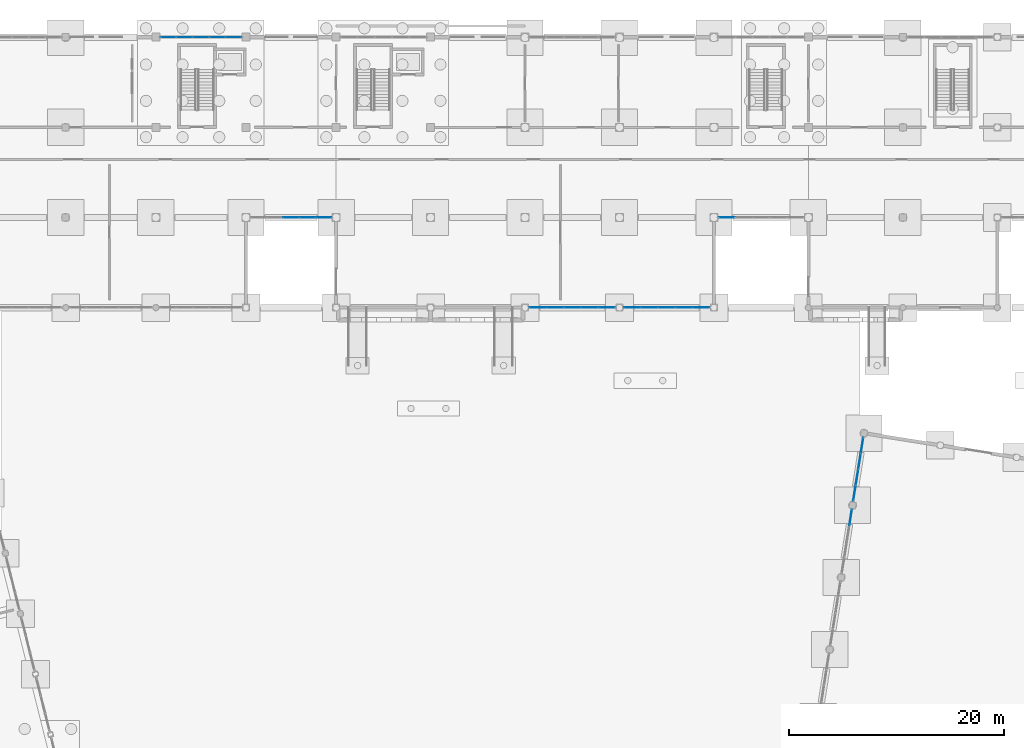
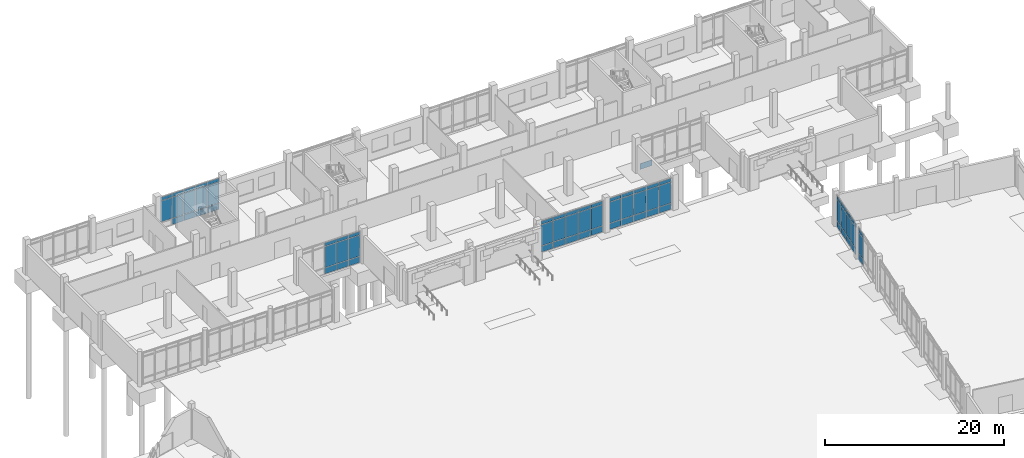
# One storey, part 37 of 72: 69 plates, 7 elements without a shape of their own.
"""IFC4 building model written with IfcOpenShell, lengths in metres."""

from ifc_helpers import new_model, si_unit, direction, frame, origin, origin_2d, place, context, subcontext, project, spatial, rectangle, extrude, material, layer, layer_set, type_object, element, aggregate, save


model = new_model("IFC4")

# Units and contexts
model_context = context("Model", 3, precision=1e-05, world=origin(), true_north=direction((0.0, 1.0)))
body_context = subcontext(model_context, "Body", "Model", "MODEL_VIEW")
ifc_project = project(units=[si_unit("LENGTHUNIT", "METRE"), si_unit("AREAUNIT", "SQUARE_METRE"), si_unit("VOLUMEUNIT", "CUBIC_METRE"), si_unit("PLANEANGLEUNIT", "RADIAN"), si_unit("MASSUNIT", "GRAM", prefix="KILO")], contexts=[model_context])

# Site, building, storey
site_placement = place(None, origin())
site = spatial("IfcSite", under=ifc_project, at=site_placement, CompositionType="ELEMENT")
building_placement = place(site_placement, origin())
building = spatial("IfcBuilding", under=site, at=building_placement, Name="Cinderway Yard Community Centre", CompositionType="ELEMENT")
storey_placement = place(building_placement, origin())
storey = spatial("IfcBuildingStorey", under=building, at=storey_placement, Name="L00", CompositionType="ELEMENT", Elevation=0.0)

# Curtain wall, plates
ifc_material_1 = material(Name="Aluminium 6063-T6", Category="aluminium")
curtain_wall_type_1 = type_object("IfcCurtainWallType", Name="ENV-CW-TYPE-24", PredefinedType="USERDEFINED", material=ifc_material_1)
curtain_wall_1_placement = place(storey_placement, origin())
curtain_wall_1 = element("IfcCurtainWall", 1, at=curtain_wall_1_placement, inside=storey, type_object=curtain_wall_type_1, Name="V4 Courtyard Curtain Wall ENV-CW-L00-ST-0113", ObjectType="GLAZED CURTAIN WALL", PredefinedType="USERDEFINED")
ifc_material_2 = material(Name="Laminated Low-E Glass", Category="glass")
ifc_layer_1 = layer(ifc_material_2, 0.028076171875, Name="Laminated Low-E Glass")
ifc_layer_set_1 = layer_set([ifc_layer_1], Name="Laminated Low-E Glass")
plate_type_1 = type_object("IfcPlateType", Name="ENV-CW-PAN-IGU28", PredefinedType="CURTAIN_PANEL", material=ifc_layer_set_1)
plate_1_placement = place(storey_placement, frame((71.0, 98.39990234375, 0.06005859375), z_axis=(0.0, 0.0, 1.0), x_axis=(1.0, 0.0, 0.0)))
plate_1 = element("IfcPlate", 2, at=plate_1_placement, type_object=plate_type_1, Name="CW-24 panel 3.1", PredefinedType="CURTAIN_PANEL", context=body_context, shape_type="SweptSolid", body=[
    extrude(rectangle(XDim=1.468017578125, YDim=0.028076171875, at=origin_2d()), origin(), (0.0, 0.0, 1.0), 0.81005859375),
])
plate_2_placement = place(storey_placement, frame((71.0, 98.39990234375, 0.93017578125), z_axis=(0.0, 0.0, 1.0), x_axis=(1.0, 0.0, 0.0)))
plate_2 = element("IfcPlate", 3, at=plate_2_placement, type_object=plate_type_1, Name="CW-24 panel 3.2", PredefinedType="CURTAIN_PANEL", context=body_context, shape_type="SweptSolid", body=[
    extrude(rectangle(XDim=1.468017578125, YDim=0.028076171875, at=origin_2d()), origin(), (0.0, 0.0, 1.0), 2.840087890625),
])
plate_3_placement = place(storey_placement, frame((71.0, 98.39990234375, 3.830078125), z_axis=(0.0, 0.0, 1.0), x_axis=(1.0, 0.0, 0.0)))
plate_3 = element("IfcPlate", 4, at=plate_3_placement, type_object=plate_type_1, Name="CW-24 panel 3.3", PredefinedType="CURTAIN_PANEL", context=body_context, shape_type="SweptSolid", body=[
    extrude(rectangle(XDim=1.468017578125, YDim=0.028076171875, at=origin_2d()), origin(), (0.0, 0.0, 1.0), 0.4599609375),
])
plate_4_placement = place(storey_placement, frame((72.528076171875, 98.39990234375, 0.06005859375), z_axis=(0.0, 0.0, 1.0), x_axis=(1.0, 0.0, 0.0)))
plate_4 = element("IfcPlate", 5, at=plate_4_placement, type_object=plate_type_1, Name="CW-24 panel 4.1", PredefinedType="CURTAIN_PANEL", context=body_context, shape_type="SweptSolid", body=[
    extrude(rectangle(XDim=1.468017578125, YDim=0.028076171875, at=origin_2d()), origin(), (0.0, 0.0, 1.0), 0.81005859375),
])
plate_5_placement = place(storey_placement, frame((72.528076171875, 98.39990234375, 0.93017578125), z_axis=(0.0, 0.0, 1.0), x_axis=(1.0, 0.0, 0.0)))
plate_5 = element("IfcPlate", 6, at=plate_5_placement, type_object=plate_type_1, Name="CW-24 panel 4.2", PredefinedType="CURTAIN_PANEL", context=body_context, shape_type="SweptSolid", body=[
    extrude(rectangle(XDim=1.468017578125, YDim=0.028076171875, at=origin_2d()), origin(), (0.0, 0.0, 1.0), 2.840087890625),
])
plate_6_placement = place(storey_placement, frame((72.528076171875, 98.39990234375, 3.830078125), z_axis=(0.0, 0.0, 1.0), x_axis=(1.0, 0.0, 0.0)))
plate_6 = element("IfcPlate", 7, at=plate_6_placement, type_object=plate_type_1, Name="CW-24 panel 4.3", PredefinedType="CURTAIN_PANEL", context=body_context, shape_type="SweptSolid", body=[
    extrude(rectangle(XDim=1.468017578125, YDim=0.028076171875, at=origin_2d()), origin(), (0.0, 0.0, 1.0), 0.4599609375),
])
plate_7_placement = place(storey_placement, frame((74.041015625, 98.39990234375, 0.06005859375), z_axis=(0.0, 0.0, 1.0), x_axis=(1.0, 0.0, 0.0)))
plate_7 = element("IfcPlate", 8, at=plate_7_placement, type_object=plate_type_1, Name="CW-24 panel 5.1", PredefinedType="CURTAIN_PANEL", context=body_context, shape_type="SweptSolid", body=[
    extrude(rectangle(XDim=1.43798828125, YDim=0.028076171875, at=origin_2d()), origin(), (0.0, 0.0, 1.0), 0.81005859375),
])
plate_8_placement = place(storey_placement, frame((74.041015625, 98.39990234375, 0.93017578125), z_axis=(0.0, 0.0, 1.0), x_axis=(1.0, 0.0, 0.0)))
plate_8 = element("IfcPlate", 9, at=plate_8_placement, type_object=plate_type_1, Name="CW-24 panel 5.2", PredefinedType="CURTAIN_PANEL", context=body_context, shape_type="SweptSolid", body=[
    extrude(rectangle(XDim=1.43798828125, YDim=0.028076171875, at=origin_2d()), origin(), (0.0, 0.0, 1.0), 2.840087890625),
])
plate_9_placement = place(storey_placement, frame((74.041015625, 98.39990234375, 3.830078125), z_axis=(0.0, 0.0, 1.0), x_axis=(1.0, 0.0, 0.0)))
plate_9 = element("IfcPlate", 10, at=plate_9_placement, type_object=plate_type_1, Name="CW-24 panel 5.3", PredefinedType="CURTAIN_PANEL", context=body_context, shape_type="SweptSolid", body=[
    extrude(rectangle(XDim=1.43798828125, YDim=0.028076171875, at=origin_2d()), origin(), (0.0, 0.0, 1.0), 0.4599609375),
])
aggregate(curtain_wall_1, [plate_1, plate_2, plate_3, plate_4, plate_5, plate_6, plate_7, plate_8, plate_9])

curtain_wall_type_2 = type_object("IfcCurtainWallType", Name="ENV-CW-TYPE-25", PredefinedType="USERDEFINED", material=ifc_material_1)
curtain_wall_2_placement = place(storey_placement, origin())
curtain_wall_2 = element("IfcCurtainWall", 11, at=curtain_wall_2_placement, inside=storey, type_object=curtain_wall_type_2, Name="V4 Courtyard Curtain Wall ENV-CW-L00-ST-0116", ObjectType="GLAZED CURTAIN WALL", PredefinedType="USERDEFINED")
plate_10_placement = place(storey_placement, frame((93.9990234375, 90.0, 0.06005859375), z_axis=(0.0, 0.0, 1.0), x_axis=(1.0, 0.0, 0.0)))
plate_10 = element("IfcPlate", 12, at=plate_10_placement, type_object=plate_type_1, Name="CW-25 panel 1.1", PredefinedType="CURTAIN_PANEL", context=body_context, shape_type="SweptSolid", body=[
    extrude(rectangle(XDim=1.51806640625, YDim=0.028076171875, at=origin_2d()), origin(), (0.0, 0.0, 1.0), 0.81005859375),
])
plate_11_placement = place(storey_placement, frame((93.9990234375, 90.0, 0.93017578125), z_axis=(0.0, 0.0, 1.0), x_axis=(1.0, 0.0, 0.0)))
plate_11 = element("IfcPlate", 13, at=plate_11_placement, type_object=plate_type_1, Name="CW-25 panel 1.2", PredefinedType="CURTAIN_PANEL", context=body_context, shape_type="SweptSolid", body=[
    extrude(rectangle(XDim=1.51806640625, YDim=0.028076171875, at=origin_2d()), origin(), (0.0, 0.0, 1.0), 2.840087890625),
])
plate_12_placement = place(storey_placement, frame((93.9990234375, 90.0, 3.830078125), z_axis=(0.0, 0.0, 1.0), x_axis=(1.0, 0.0, 0.0)))
plate_12 = element("IfcPlate", 14, at=plate_12_placement, type_object=plate_type_1, Name="CW-25 panel 1.3", PredefinedType="CURTAIN_PANEL", context=body_context, shape_type="SweptSolid", body=[
    extrude(rectangle(XDim=1.51806640625, YDim=0.028076171875, at=origin_2d()), origin(), (0.0, 0.0, 1.0), 0.4599609375),
])
plate_13_placement = place(storey_placement, frame((95.592041015625, 90.0, 0.06005859375), z_axis=(0.0, 0.0, 1.0), x_axis=(1.0, 0.0, 0.0)))
plate_13 = element("IfcPlate", 15, at=plate_13_placement, type_object=plate_type_1, Name="CW-25 panel 2.1", PredefinedType="CURTAIN_PANEL", context=body_context, shape_type="SweptSolid", body=[
    extrude(rectangle(XDim=1.548095703125, YDim=0.028076171875, at=origin_2d()), origin(), (0.0, 0.0, 1.0), 0.81005859375),
])
plate_14_placement = place(storey_placement, frame((95.592041015625, 90.0, 0.93017578125), z_axis=(0.0, 0.0, 1.0), x_axis=(1.0, 0.0, 0.0)))
plate_14 = element("IfcPlate", 16, at=plate_14_placement, type_object=plate_type_1, Name="CW-25 panel 2.2", PredefinedType="CURTAIN_PANEL", context=body_context, shape_type="SweptSolid", body=[
    extrude(rectangle(XDim=1.548095703125, YDim=0.028076171875, at=origin_2d()), origin(), (0.0, 0.0, 1.0), 2.840087890625),
])
plate_15_placement = place(storey_placement, frame((95.592041015625, 90.0, 3.830078125), z_axis=(0.0, 0.0, 1.0), x_axis=(1.0, 0.0, 0.0)))
plate_15 = element("IfcPlate", 17, at=plate_15_placement, type_object=plate_type_1, Name="CW-25 panel 2.3", PredefinedType="CURTAIN_PANEL", context=body_context, shape_type="SweptSolid", body=[
    extrude(rectangle(XDim=1.548095703125, YDim=0.028076171875, at=origin_2d()), origin(), (0.0, 0.0, 1.0), 0.4599609375),
])
plate_16_placement = place(storey_placement, frame((97.199951171875, 90.0, 0.06005859375), z_axis=(0.0, 0.0, 1.0), x_axis=(1.0, 0.0, 0.0)))
plate_16 = element("IfcPlate", 18, at=plate_16_placement, type_object=plate_type_1, Name="CW-25 panel 3.1", PredefinedType="CURTAIN_PANEL", context=body_context, shape_type="SweptSolid", body=[
    extrude(rectangle(XDim=1.548095703125, YDim=0.028076171875, at=origin_2d()), origin(), (0.0, 0.0, 1.0), 0.81005859375),
])
plate_17_placement = place(storey_placement, frame((97.199951171875, 90.0, 0.93017578125), z_axis=(0.0, 0.0, 1.0), x_axis=(1.0, 0.0, 0.0)))
plate_17 = element("IfcPlate", 19, at=plate_17_placement, type_object=plate_type_1, Name="CW-25 panel 3.2", PredefinedType="CURTAIN_PANEL", context=body_context, shape_type="SweptSolid", body=[
    extrude(rectangle(XDim=1.548095703125, YDim=0.028076171875, at=origin_2d()), origin(), (0.0, 0.0, 1.0), 2.840087890625),
])
plate_18_placement = place(storey_placement, frame((97.199951171875, 90.0, 3.830078125), z_axis=(0.0, 0.0, 1.0), x_axis=(1.0, 0.0, 0.0)))
plate_18 = element("IfcPlate", 20, at=plate_18_placement, type_object=plate_type_1, Name="CW-25 panel 3.3", PredefinedType="CURTAIN_PANEL", context=body_context, shape_type="SweptSolid", body=[
    extrude(rectangle(XDim=1.548095703125, YDim=0.028076171875, at=origin_2d()), origin(), (0.0, 0.0, 1.0), 0.4599609375),
])
plate_19_placement = place(storey_placement, frame((98.80810546875, 90.0, 0.06005859375), z_axis=(0.0, 0.0, 1.0), x_axis=(1.0, 0.0, 0.0)))
plate_19 = element("IfcPlate", 21, at=plate_19_placement, type_object=plate_type_1, Name="CW-25 panel 4.1", PredefinedType="CURTAIN_PANEL", context=body_context, shape_type="SweptSolid", body=[
    extrude(rectangle(XDim=1.548095703125, YDim=0.028076171875, at=origin_2d()), origin(), (0.0, 0.0, 1.0), 0.81005859375),
])
plate_20_placement = place(storey_placement, frame((98.80810546875, 90.0, 0.93017578125), z_axis=(0.0, 0.0, 1.0), x_axis=(1.0, 0.0, 0.0)))
plate_20 = element("IfcPlate", 22, at=plate_20_placement, type_object=plate_type_1, Name="CW-25 panel 4.2", PredefinedType="CURTAIN_PANEL", context=body_context, shape_type="SweptSolid", body=[
    extrude(rectangle(XDim=1.548095703125, YDim=0.028076171875, at=origin_2d()), origin(), (0.0, 0.0, 1.0), 2.840087890625),
])
plate_21_placement = place(storey_placement, frame((98.80810546875, 90.0, 3.830078125), z_axis=(0.0, 0.0, 1.0), x_axis=(1.0, 0.0, 0.0)))
plate_21 = element("IfcPlate", 23, at=plate_21_placement, type_object=plate_type_1, Name="CW-25 panel 4.3", PredefinedType="CURTAIN_PANEL", context=body_context, shape_type="SweptSolid", body=[
    extrude(rectangle(XDim=1.548095703125, YDim=0.028076171875, at=origin_2d()), origin(), (0.0, 0.0, 1.0), 0.4599609375),
])
plate_22_placement = place(storey_placement, frame((100.40087890625, 90.0, 0.06005859375), z_axis=(0.0, 0.0, 1.0), x_axis=(1.0, 0.0, 0.0)))
plate_22 = element("IfcPlate", 24, at=plate_22_placement, type_object=plate_type_1, Name="CW-25 panel 5.1", PredefinedType="CURTAIN_PANEL", context=body_context, shape_type="SweptSolid", body=[
    extrude(rectangle(XDim=1.51806640625, YDim=0.028076171875, at=origin_2d()), origin(), (0.0, 0.0, 1.0), 0.81005859375),
])
plate_23_placement = place(storey_placement, frame((100.40087890625, 90.0, 0.93017578125), z_axis=(0.0, 0.0, 1.0), x_axis=(1.0, 0.0, 0.0)))
plate_23 = element("IfcPlate", 25, at=plate_23_placement, type_object=plate_type_1, Name="CW-25 panel 5.2", PredefinedType="CURTAIN_PANEL", context=body_context, shape_type="SweptSolid", body=[
    extrude(rectangle(XDim=1.51806640625, YDim=0.028076171875, at=origin_2d()), origin(), (0.0, 0.0, 1.0), 2.840087890625),
])
plate_24_placement = place(storey_placement, frame((100.40087890625, 90.0, 3.830078125), z_axis=(0.0, 0.0, 1.0), x_axis=(1.0, 0.0, 0.0)))
plate_24 = element("IfcPlate", 26, at=plate_24_placement, type_object=plate_type_1, Name="CW-25 panel 5.3", PredefinedType="CURTAIN_PANEL", context=body_context, shape_type="SweptSolid", body=[
    extrude(rectangle(XDim=1.51806640625, YDim=0.028076171875, at=origin_2d()), origin(), (0.0, 0.0, 1.0), 0.4599609375),
])
aggregate(curtain_wall_2, [plate_10, plate_11, plate_12, plate_13, plate_14, plate_15, plate_16, plate_17, plate_18, plate_19, plate_20, plate_21, plate_22, plate_23, plate_24])

curtain_wall_3_placement = place(storey_placement, origin())
curtain_wall_3 = element("IfcCurtainWall", 27, at=curtain_wall_3_placement, inside=storey, type_object=curtain_wall_type_2, Name="V4 Courtyard Curtain Wall ENV-CW-L00-ST-0117", ObjectType="GLAZED CURTAIN WALL", PredefinedType="USERDEFINED")
plate_25_placement = place(storey_placement, frame((102.799072265625, 90.0, 0.06005859375), z_axis=(0.0, 0.0, 1.0), x_axis=(1.0, 0.0, 0.0)))
plate_25 = element("IfcPlate", 28, at=plate_25_placement, type_object=plate_type_1, Name="CW-25 panel 1.1", PredefinedType="CURTAIN_PANEL", context=body_context, shape_type="SweptSolid", body=[
    extrude(rectangle(XDim=1.51806640625, YDim=0.028076171875, at=origin_2d()), origin(), (0.0, 0.0, 1.0), 0.81005859375),
])
plate_26_placement = place(storey_placement, frame((102.799072265625, 90.0, 0.93017578125), z_axis=(0.0, 0.0, 1.0), x_axis=(1.0, 0.0, 0.0)))
plate_26 = element("IfcPlate", 29, at=plate_26_placement, type_object=plate_type_1, Name="CW-25 panel 1.2", PredefinedType="CURTAIN_PANEL", context=body_context, shape_type="SweptSolid", body=[
    extrude(rectangle(XDim=1.51806640625, YDim=0.028076171875, at=origin_2d()), origin(), (0.0, 0.0, 1.0), 2.840087890625),
])
plate_27_placement = place(storey_placement, frame((102.799072265625, 90.0, 3.830078125), z_axis=(0.0, 0.0, 1.0), x_axis=(1.0, 0.0, 0.0)))
plate_27 = element("IfcPlate", 30, at=plate_27_placement, type_object=plate_type_1, Name="CW-25 panel 1.3", PredefinedType="CURTAIN_PANEL", context=body_context, shape_type="SweptSolid", body=[
    extrude(rectangle(XDim=1.51806640625, YDim=0.028076171875, at=origin_2d()), origin(), (0.0, 0.0, 1.0), 0.4599609375),
])
plate_28_placement = place(storey_placement, frame((104.39208984375, 90.0, 0.06005859375), z_axis=(0.0, 0.0, 1.0), x_axis=(1.0, 0.0, 0.0)))
plate_28 = element("IfcPlate", 31, at=plate_28_placement, type_object=plate_type_1, Name="CW-25 panel 2.1", PredefinedType="CURTAIN_PANEL", context=body_context, shape_type="SweptSolid", body=[
    extrude(rectangle(XDim=1.548095703125, YDim=0.028076171875, at=origin_2d()), origin(), (0.0, 0.0, 1.0), 0.81005859375),
])
plate_29_placement = place(storey_placement, frame((104.39208984375, 90.0, 0.93017578125), z_axis=(0.0, 0.0, 1.0), x_axis=(1.0, 0.0, 0.0)))
plate_29 = element("IfcPlate", 32, at=plate_29_placement, type_object=plate_type_1, Name="CW-25 panel 2.2", PredefinedType="CURTAIN_PANEL", context=body_context, shape_type="SweptSolid", body=[
    extrude(rectangle(XDim=1.548095703125, YDim=0.028076171875, at=origin_2d()), origin(), (0.0, 0.0, 1.0), 2.840087890625),
])
plate_30_placement = place(storey_placement, frame((104.39208984375, 90.0, 3.830078125), z_axis=(0.0, 0.0, 1.0), x_axis=(1.0, 0.0, 0.0)))
plate_30 = element("IfcPlate", 33, at=plate_30_placement, type_object=plate_type_1, Name="CW-25 panel 2.3", PredefinedType="CURTAIN_PANEL", context=body_context, shape_type="SweptSolid", body=[
    extrude(rectangle(XDim=1.548095703125, YDim=0.028076171875, at=origin_2d()), origin(), (0.0, 0.0, 1.0), 0.4599609375),
])
plate_31_placement = place(storey_placement, frame((106.0, 90.0, 0.06005859375), z_axis=(0.0, 0.0, 1.0), x_axis=(1.0, 0.0, 0.0)))
plate_31 = element("IfcPlate", 34, at=plate_31_placement, type_object=plate_type_1, Name="CW-25 panel 3.1", PredefinedType="CURTAIN_PANEL", context=body_context, shape_type="SweptSolid", body=[
    extrude(rectangle(XDim=1.548095703125, YDim=0.028076171875, at=origin_2d()), origin(), (0.0, 0.0, 1.0), 0.81005859375),
])
plate_32_placement = place(storey_placement, frame((106.0, 90.0, 0.93017578125), z_axis=(0.0, 0.0, 1.0), x_axis=(1.0, 0.0, 0.0)))
plate_32 = element("IfcPlate", 35, at=plate_32_placement, type_object=plate_type_1, Name="CW-25 panel 3.2", PredefinedType="CURTAIN_PANEL", context=body_context, shape_type="SweptSolid", body=[
    extrude(rectangle(XDim=1.548095703125, YDim=0.028076171875, at=origin_2d()), origin(), (0.0, 0.0, 1.0), 2.840087890625),
])
plate_33_placement = place(storey_placement, frame((106.0, 90.0, 3.830078125), z_axis=(0.0, 0.0, 1.0), x_axis=(1.0, 0.0, 0.0)))
plate_33 = element("IfcPlate", 36, at=plate_33_placement, type_object=plate_type_1, Name="CW-25 panel 3.3", PredefinedType="CURTAIN_PANEL", context=body_context, shape_type="SweptSolid", body=[
    extrude(rectangle(XDim=1.548095703125, YDim=0.028076171875, at=origin_2d()), origin(), (0.0, 0.0, 1.0), 0.4599609375),
])
plate_34_placement = place(storey_placement, frame((107.60791015625, 90.0, 0.06005859375), z_axis=(0.0, 0.0, 1.0), x_axis=(1.0, 0.0, 0.0)))
plate_34 = element("IfcPlate", 37, at=plate_34_placement, type_object=plate_type_1, Name="CW-25 panel 4.1", PredefinedType="CURTAIN_PANEL", context=body_context, shape_type="SweptSolid", body=[
    extrude(rectangle(XDim=1.548095703125, YDim=0.028076171875, at=origin_2d()), origin(), (0.0, 0.0, 1.0), 0.81005859375),
])
plate_35_placement = place(storey_placement, frame((107.60791015625, 90.0, 0.93017578125), z_axis=(0.0, 0.0, 1.0), x_axis=(1.0, 0.0, 0.0)))
plate_35 = element("IfcPlate", 38, at=plate_35_placement, type_object=plate_type_1, Name="CW-25 panel 4.2", PredefinedType="CURTAIN_PANEL", context=body_context, shape_type="SweptSolid", body=[
    extrude(rectangle(XDim=1.548095703125, YDim=0.028076171875, at=origin_2d()), origin(), (0.0, 0.0, 1.0), 2.840087890625),
])
plate_36_placement = place(storey_placement, frame((107.60791015625, 90.0, 3.830078125), z_axis=(0.0, 0.0, 1.0), x_axis=(1.0, 0.0, 0.0)))
plate_36 = element("IfcPlate", 39, at=plate_36_placement, type_object=plate_type_1, Name="CW-25 panel 4.3", PredefinedType="CURTAIN_PANEL", context=body_context, shape_type="SweptSolid", body=[
    extrude(rectangle(XDim=1.548095703125, YDim=0.028076171875, at=origin_2d()), origin(), (0.0, 0.0, 1.0), 0.4599609375),
])
plate_37_placement = place(storey_placement, frame((109.200927734375, 90.0, 0.06005859375), z_axis=(0.0, 0.0, 1.0), x_axis=(1.0, 0.0, 0.0)))
plate_37 = element("IfcPlate", 40, at=plate_37_placement, type_object=plate_type_1, Name="CW-25 panel 5.1", PredefinedType="CURTAIN_PANEL", context=body_context, shape_type="SweptSolid", body=[
    extrude(rectangle(XDim=1.51806640625, YDim=0.028076171875, at=origin_2d()), origin(), (0.0, 0.0, 1.0), 0.81005859375),
])
plate_38_placement = place(storey_placement, frame((109.200927734375, 90.0, 0.93017578125), z_axis=(0.0, 0.0, 1.0), x_axis=(1.0, 0.0, 0.0)))
plate_38 = element("IfcPlate", 41, at=plate_38_placement, type_object=plate_type_1, Name="CW-25 panel 5.2", PredefinedType="CURTAIN_PANEL", context=body_context, shape_type="SweptSolid", body=[
    extrude(rectangle(XDim=1.51806640625, YDim=0.028076171875, at=origin_2d()), origin(), (0.0, 0.0, 1.0), 2.840087890625),
])
plate_39_placement = place(storey_placement, frame((109.200927734375, 90.0, 3.830078125), z_axis=(0.0, 0.0, 1.0), x_axis=(1.0, 0.0, 0.0)))
plate_39 = element("IfcPlate", 42, at=plate_39_placement, type_object=plate_type_1, Name="CW-25 panel 5.3", PredefinedType="CURTAIN_PANEL", context=body_context, shape_type="SweptSolid", body=[
    extrude(rectangle(XDim=1.51806640625, YDim=0.028076171875, at=origin_2d()), origin(), (0.0, 0.0, 1.0), 0.4599609375),
])
aggregate(curtain_wall_3, [plate_25, plate_26, plate_27, plate_28, plate_29, plate_30, plate_31, plate_32, plate_33, plate_34, plate_35, plate_36, plate_37, plate_38, plate_39])

# Curtain wall, plate
curtain_wall_4_placement = place(storey_placement, origin())
curtain_wall_4 = element("IfcCurtainWall", 43, at=curtain_wall_4_placement, inside=storey, type_object=curtain_wall_type_2, Name="V4 Courtyard Curtain Wall ENV-CW-L00-ST-0119", ObjectType="GLAZED CURTAIN WALL", PredefinedType="USERDEFINED")
plate_40_placement = place(storey_placement, frame((111.59912109375, 98.39990234375, 0.06005859375), z_axis=(0.0, 0.0, 1.0), x_axis=(1.0, 0.0, 0.0)))
plate_40 = element("IfcPlate", 44, at=plate_40_placement, type_object=plate_type_1, Name="CW-25 panel 1.1", PredefinedType="CURTAIN_PANEL", context=body_context, shape_type="SweptSolid", body=[
    extrude(rectangle(XDim=1.51806640625, YDim=0.028076171875, at=origin_2d()), origin(), (0.0, 0.0, 1.0), 0.81005859375),
])
aggregate(curtain_wall_4, [plate_40])

# Curtain wall, plates
curtain_wall_type_3 = type_object("IfcCurtainWallType", Name="ENV-CW-TYPE-12", PredefinedType="USERDEFINED", material=ifc_material_1)
curtain_wall_5_placement = place(storey_placement, origin())
curtain_wall_5 = element("IfcCurtainWall", 45, at=curtain_wall_5_placement, inside=storey, type_object=curtain_wall_type_3, Name="Sports Hall Courtyard Curtain Wall ENV-CW-L00-HS-0048", ObjectType="GLAZED CURTAIN WALL", PredefinedType="USERDEFINED")
ifc_layer_2 = layer(ifc_material_2, 0.031982421875, Name="Laminated Low-E Glass")
ifc_layer_set_2 = layer_set([ifc_layer_2], Name="Laminated Low-E Glass")
plate_type_2 = type_object("IfcPlateType", Name="ENV-CW-PAN-IGU32", PredefinedType="CURTAIN_PANEL", material=ifc_layer_set_2)
plate_41_placement = place(storey_placement, frame((123.139404296875, 70.445556640625, 0.06005859375), z_axis=(0.0, 0.0, 1.0), x_axis=(0.156608625643, 0.987660740525, 0.0)))
plate_41 = element("IfcPlate", 46, at=plate_41_placement, type_object=plate_type_2, Name="CW-12 panel 4.1", PredefinedType="CURTAIN_PANEL", context=body_context, shape_type="SweptSolid", body=[
    extrude(rectangle(XDim=1.420166015625, YDim=0.028076171875, at=origin_2d()), origin(), (0.0, 0.0, 1.0), 0.81005859375),
])
plate_42_placement = place(storey_placement, frame((123.139404296875, 70.445556640625, 0.93017578125), z_axis=(0.0, 0.0, 1.0), x_axis=(0.156608625643, 0.987660740525, 0.0)))
plate_42 = element("IfcPlate", 47, at=plate_42_placement, type_object=plate_type_2, Name="CW-12 panel 4.2", PredefinedType="CURTAIN_PANEL", context=body_context, shape_type="SweptSolid", body=[
    extrude(rectangle(XDim=1.420166015625, YDim=0.028076171875, at=origin_2d()), origin(), (0.0, 0.0, 1.0), 2.840087890625),
])
plate_43_placement = place(storey_placement, frame((123.139404296875, 70.445556640625, 3.830078125), z_axis=(0.0, 0.0, 1.0), x_axis=(0.156608625643, 0.987660740525, 0.0)))
plate_43 = element("IfcPlate", 48, at=plate_43_placement, type_object=plate_type_2, Name="CW-12 panel 4.3", PredefinedType="CURTAIN_PANEL", context=body_context, shape_type="SweptSolid", body=[
    extrude(rectangle(XDim=1.420166015625, YDim=0.028076171875, at=origin_2d()), origin(), (0.0, 0.0, 1.0), 0.4599609375),
])
aggregate(curtain_wall_5, [plate_41, plate_42, plate_43])

curtain_wall_6_placement = place(storey_placement, origin())
curtain_wall_6 = element("IfcCurtainWall", 49, at=curtain_wall_6_placement, inside=storey, type_object=curtain_wall_type_3, Name="Sports Hall Courtyard Curtain Wall ENV-CW-L00-HS-0049", ObjectType="GLAZED CURTAIN WALL", PredefinedType="USERDEFINED")
plate_44_placement = place(storey_placement, frame((123.49853515625, 72.716796875, 0.06005859375), z_axis=(0.0, 0.0, 1.0), x_axis=(0.156583023401, 0.987664799809, 0.0)))
plate_44 = element("IfcPlate", 50, at=plate_44_placement, type_object=plate_type_2, Name="CW-12 panel 1.1", PredefinedType="CURTAIN_PANEL", context=body_context, shape_type="SweptSolid", body=[
    extrude(rectangle(XDim=1.42041015625, YDim=0.028076171875, at=origin_2d()), origin(), (0.0, 0.0, 1.0), 0.81005859375),
])
plate_45_placement = place(storey_placement, frame((123.49853515625, 72.716796875, 0.93017578125), z_axis=(0.0, 0.0, 1.0), x_axis=(0.156583023401, 0.987664799809, 0.0)))
plate_45 = element("IfcPlate", 51, at=plate_45_placement, type_object=plate_type_2, Name="CW-12 panel 1.2", PredefinedType="CURTAIN_PANEL", context=body_context, shape_type="SweptSolid", body=[
    extrude(rectangle(XDim=1.42041015625, YDim=0.028076171875, at=origin_2d()), origin(), (0.0, 0.0, 1.0), 2.840087890625),
])
plate_46_placement = place(storey_placement, frame((123.49853515625, 72.716796875, 3.830078125), z_axis=(0.0, 0.0, 1.0), x_axis=(0.156583023401, 0.987664799809, 0.0)))
plate_46 = element("IfcPlate", 52, at=plate_46_placement, type_object=plate_type_2, Name="CW-12 panel 1.3", PredefinedType="CURTAIN_PANEL", context=body_context, shape_type="SweptSolid", body=[
    extrude(rectangle(XDim=1.42041015625, YDim=0.028076171875, at=origin_2d()), origin(), (0.0, 0.0, 1.0), 0.4599609375),
])
plate_47_placement = place(storey_placement, frame((123.732666015625, 74.193603515625, 0.06005859375), z_axis=(0.0, 0.0, 1.0), x_axis=(0.156583023401, 0.987664799809, 0.0)))
plate_47 = element("IfcPlate", 53, at=plate_47_placement, type_object=plate_type_2, Name="CW-12 panel 2.1", PredefinedType="CURTAIN_PANEL", context=body_context, shape_type="SweptSolid", body=[
    extrude(rectangle(XDim=1.450439453125, YDim=0.028076171875, at=origin_2d()), origin(), (0.0, 0.0, 1.0), 0.81005859375),
])
plate_48_placement = place(storey_placement, frame((123.732666015625, 74.193603515625, 0.93017578125), z_axis=(0.0, 0.0, 1.0), x_axis=(0.156583023401, 0.987664799809, 0.0)))
plate_48 = element("IfcPlate", 54, at=plate_48_placement, type_object=plate_type_2, Name="CW-12 panel 2.2", PredefinedType="CURTAIN_PANEL", context=body_context, shape_type="SweptSolid", body=[
    extrude(rectangle(XDim=1.450439453125, YDim=0.028076171875, at=origin_2d()), origin(), (0.0, 0.0, 1.0), 2.840087890625),
])
plate_49_placement = place(storey_placement, frame((123.732666015625, 74.193603515625, 3.830078125), z_axis=(0.0, 0.0, 1.0), x_axis=(0.156583023401, 0.987664799809, 0.0)))
plate_49 = element("IfcPlate", 55, at=plate_49_placement, type_object=plate_type_2, Name="CW-12 panel 2.3", PredefinedType="CURTAIN_PANEL", context=body_context, shape_type="SweptSolid", body=[
    extrude(rectangle(XDim=1.450439453125, YDim=0.028076171875, at=origin_2d()), origin(), (0.0, 0.0, 1.0), 0.4599609375),
])
plate_50_placement = place(storey_placement, frame((123.96923828125, 75.685302734375, 0.06005859375), z_axis=(0.0, 0.0, 1.0), x_axis=(0.156583023401, 0.987664799809, 0.0)))
plate_50 = element("IfcPlate", 56, at=plate_50_placement, type_object=plate_type_2, Name="CW-12 panel 3.1", PredefinedType="CURTAIN_PANEL", context=body_context, shape_type="SweptSolid", body=[
    extrude(rectangle(XDim=1.450439453125, YDim=0.028076171875, at=origin_2d()), origin(), (0.0, 0.0, 1.0), 0.81005859375),
])
plate_51_placement = place(storey_placement, frame((123.96923828125, 75.685302734375, 0.93017578125), z_axis=(0.0, 0.0, 1.0), x_axis=(0.156583023401, 0.987664799809, 0.0)))
plate_51 = element("IfcPlate", 57, at=plate_51_placement, type_object=plate_type_2, Name="CW-12 panel 3.2", PredefinedType="CURTAIN_PANEL", context=body_context, shape_type="SweptSolid", body=[
    extrude(rectangle(XDim=1.450439453125, YDim=0.028076171875, at=origin_2d()), origin(), (0.0, 0.0, 1.0), 2.840087890625),
])
plate_52_placement = place(storey_placement, frame((123.96923828125, 75.685302734375, 3.830078125), z_axis=(0.0, 0.0, 1.0), x_axis=(0.156583023401, 0.987664799809, 0.0)))
plate_52 = element("IfcPlate", 58, at=plate_52_placement, type_object=plate_type_2, Name="CW-12 panel 3.3", PredefinedType="CURTAIN_PANEL", context=body_context, shape_type="SweptSolid", body=[
    extrude(rectangle(XDim=1.450439453125, YDim=0.028076171875, at=origin_2d()), origin(), (0.0, 0.0, 1.0), 0.4599609375),
])
plate_53_placement = place(storey_placement, frame((124.203369140625, 77.162353515625, 0.06005859375), z_axis=(0.0, 0.0, 1.0), x_axis=(0.156583023401, 0.987664799809, 0.0)))
plate_53 = element("IfcPlate", 59, at=plate_53_placement, type_object=plate_type_2, Name="CW-12 panel 4.1", PredefinedType="CURTAIN_PANEL", context=body_context, shape_type="SweptSolid", body=[
    extrude(rectangle(XDim=1.42041015625, YDim=0.028076171875, at=origin_2d()), origin(), (0.0, 0.0, 1.0), 0.81005859375),
])
plate_54_placement = place(storey_placement, frame((124.203369140625, 77.162353515625, 0.93017578125), z_axis=(0.0, 0.0, 1.0), x_axis=(0.156583023401, 0.987664799809, 0.0)))
plate_54 = element("IfcPlate", 60, at=plate_54_placement, type_object=plate_type_2, Name="CW-12 panel 4.2", PredefinedType="CURTAIN_PANEL", context=body_context, shape_type="SweptSolid", body=[
    extrude(rectangle(XDim=1.42041015625, YDim=0.028076171875, at=origin_2d()), origin(), (0.0, 0.0, 1.0), 2.840087890625),
])
plate_55_placement = place(storey_placement, frame((124.203369140625, 77.162353515625, 3.830078125), z_axis=(0.0, 0.0, 1.0), x_axis=(0.156583023401, 0.987664799809, 0.0)))
plate_55 = element("IfcPlate", 61, at=plate_55_placement, type_object=plate_type_2, Name="CW-12 panel 4.3", PredefinedType="CURTAIN_PANEL", context=body_context, shape_type="SweptSolid", body=[
    extrude(rectangle(XDim=1.42041015625, YDim=0.028076171875, at=origin_2d()), origin(), (0.0, 0.0, 1.0), 0.4599609375),
])
aggregate(curtain_wall_6, [plate_44, plate_45, plate_46, plate_47, plate_48, plate_49, plate_50, plate_51, plate_52, plate_53, plate_54, plate_55])

curtain_wall_7_placement = place(storey_placement, origin())
curtain_wall_7 = element("IfcCurtainWall", 62, at=curtain_wall_7_placement, inside=storey, type_object=curtain_wall_type_1, Name="V4 Street Curtain Wall ENV-CW-L00-HS-0111", ObjectType="GLAZED CURTAIN WALL", PredefinedType="USERDEFINED")
plate_56_placement = place(storey_placement, frame((59.55908203125, 115.199951171875, 0.93017578125), z_axis=(0.0, 0.0, 1.0), x_axis=(1.0, 0.0, 0.0)))
plate_56 = element("IfcPlate", 63, at=plate_56_placement, type_object=plate_type_2, Name="CW-24 panel 1.2", PredefinedType="CURTAIN_PANEL", context=body_context, shape_type="SweptSolid", body=[
    extrude(rectangle(XDim=1.43798828125, YDim=0.028076171875, at=origin_2d()), origin(), (0.0, 0.0, 1.0), 2.840087890625),
])
plate_57_placement = place(storey_placement, frame((59.55908203125, 115.199951171875, 3.830078125), z_axis=(0.0, 0.0, 1.0), x_axis=(1.0, 0.0, 0.0)))
plate_57 = element("IfcPlate", 64, at=plate_57_placement, type_object=plate_type_2, Name="CW-24 panel 1.3", PredefinedType="CURTAIN_PANEL", context=body_context, shape_type="SweptSolid", body=[
    extrude(rectangle(XDim=1.43798828125, YDim=0.028076171875, at=origin_2d()), origin(), (0.0, 0.0, 1.0), 0.4599609375),
])
plate_58_placement = place(storey_placement, frame((61.072021484375, 115.199951171875, 0.06005859375), z_axis=(0.0, 0.0, 1.0), x_axis=(1.0, 0.0, 0.0)))
plate_58 = element("IfcPlate", 65, at=plate_58_placement, type_object=plate_type_2, Name="CW-24 panel 2.1", PredefinedType="CURTAIN_PANEL", context=body_context, shape_type="SweptSolid", body=[
    extrude(rectangle(XDim=1.468017578125, YDim=0.028076171875, at=origin_2d()), origin(), (0.0, 0.0, 1.0), 0.81005859375),
])
plate_59_placement = place(storey_placement, frame((61.072021484375, 115.199951171875, 0.93017578125), z_axis=(0.0, 0.0, 1.0), x_axis=(1.0, 0.0, 0.0)))
plate_59 = element("IfcPlate", 66, at=plate_59_placement, type_object=plate_type_2, Name="CW-24 panel 2.2", PredefinedType="CURTAIN_PANEL", context=body_context, shape_type="SweptSolid", body=[
    extrude(rectangle(XDim=1.468017578125, YDim=0.028076171875, at=origin_2d()), origin(), (0.0, 0.0, 1.0), 2.840087890625),
])
plate_60_placement = place(storey_placement, frame((61.072021484375, 115.199951171875, 3.830078125), z_axis=(0.0, 0.0, 1.0), x_axis=(1.0, 0.0, 0.0)))
plate_60 = element("IfcPlate", 67, at=plate_60_placement, type_object=plate_type_2, Name="CW-24 panel 2.3", PredefinedType="CURTAIN_PANEL", context=body_context, shape_type="SweptSolid", body=[
    extrude(rectangle(XDim=1.468017578125, YDim=0.028076171875, at=origin_2d()), origin(), (0.0, 0.0, 1.0), 0.4599609375),
])
plate_61_placement = place(storey_placement, frame((62.60009765625, 115.199951171875, 0.06005859375), z_axis=(0.0, 0.0, 1.0), x_axis=(1.0, 0.0, 0.0)))
plate_61 = element("IfcPlate", 68, at=plate_61_placement, type_object=plate_type_2, Name="CW-24 panel 3.1", PredefinedType="CURTAIN_PANEL", context=body_context, shape_type="SweptSolid", body=[
    extrude(rectangle(XDim=1.468017578125, YDim=0.028076171875, at=origin_2d()), origin(), (0.0, 0.0, 1.0), 0.81005859375),
])
plate_62_placement = place(storey_placement, frame((62.60009765625, 115.199951171875, 0.93017578125), z_axis=(0.0, 0.0, 1.0), x_axis=(1.0, 0.0, 0.0)))
plate_62 = element("IfcPlate", 69, at=plate_62_placement, type_object=plate_type_2, Name="CW-24 panel 3.2", PredefinedType="CURTAIN_PANEL", context=body_context, shape_type="SweptSolid", body=[
    extrude(rectangle(XDim=1.468017578125, YDim=0.028076171875, at=origin_2d()), origin(), (0.0, 0.0, 1.0), 2.840087890625),
])
plate_63_placement = place(storey_placement, frame((62.60009765625, 115.199951171875, 3.830078125), z_axis=(0.0, 0.0, 1.0), x_axis=(1.0, 0.0, 0.0)))
plate_63 = element("IfcPlate", 70, at=plate_63_placement, type_object=plate_type_2, Name="CW-24 panel 3.3", PredefinedType="CURTAIN_PANEL", context=body_context, shape_type="SweptSolid", body=[
    extrude(rectangle(XDim=1.468017578125, YDim=0.028076171875, at=origin_2d()), origin(), (0.0, 0.0, 1.0), 0.4599609375),
])
plate_64_placement = place(storey_placement, frame((64.1279296875, 115.199951171875, 0.06005859375), z_axis=(0.0, 0.0, 1.0), x_axis=(1.0, 0.0, 0.0)))
plate_64 = element("IfcPlate", 71, at=plate_64_placement, type_object=plate_type_2, Name="CW-24 panel 4.1", PredefinedType="CURTAIN_PANEL", context=body_context, shape_type="SweptSolid", body=[
    extrude(rectangle(XDim=1.468017578125, YDim=0.028076171875, at=origin_2d()), origin(), (0.0, 0.0, 1.0), 0.81005859375),
])
plate_65_placement = place(storey_placement, frame((64.1279296875, 115.199951171875, 0.93017578125), z_axis=(0.0, 0.0, 1.0), x_axis=(1.0, 0.0, 0.0)))
plate_65 = element("IfcPlate", 72, at=plate_65_placement, type_object=plate_type_2, Name="CW-24 panel 4.2", PredefinedType="CURTAIN_PANEL", context=body_context, shape_type="SweptSolid", body=[
    extrude(rectangle(XDim=1.468017578125, YDim=0.028076171875, at=origin_2d()), origin(), (0.0, 0.0, 1.0), 2.840087890625),
])
plate_66_placement = place(storey_placement, frame((64.1279296875, 115.199951171875, 3.830078125), z_axis=(0.0, 0.0, 1.0), x_axis=(1.0, 0.0, 0.0)))
plate_66 = element("IfcPlate", 73, at=plate_66_placement, type_object=plate_type_2, Name="CW-24 panel 4.3", PredefinedType="CURTAIN_PANEL", context=body_context, shape_type="SweptSolid", body=[
    extrude(rectangle(XDim=1.468017578125, YDim=0.028076171875, at=origin_2d()), origin(), (0.0, 0.0, 1.0), 0.4599609375),
])
plate_67_placement = place(storey_placement, frame((65.64111328125, 115.199951171875, 0.06005859375), z_axis=(0.0, 0.0, 1.0), x_axis=(1.0, 0.0, 0.0)))
plate_67 = element("IfcPlate", 74, at=plate_67_placement, type_object=plate_type_2, Name="CW-24 panel 5.1", PredefinedType="CURTAIN_PANEL", context=body_context, shape_type="SweptSolid", body=[
    extrude(rectangle(XDim=1.43798828125, YDim=0.028076171875, at=origin_2d()), origin(), (0.0, 0.0, 1.0), 0.81005859375),
])
plate_68_placement = place(storey_placement, frame((65.64111328125, 115.199951171875, 0.93017578125), z_axis=(0.0, 0.0, 1.0), x_axis=(1.0, 0.0, 0.0)))
plate_68 = element("IfcPlate", 75, at=plate_68_placement, type_object=plate_type_2, Name="CW-24 panel 5.2", PredefinedType="CURTAIN_PANEL", context=body_context, shape_type="SweptSolid", body=[
    extrude(rectangle(XDim=1.43798828125, YDim=0.028076171875, at=origin_2d()), origin(), (0.0, 0.0, 1.0), 2.840087890625),
])
plate_69_placement = place(storey_placement, frame((65.64111328125, 115.199951171875, 3.830078125), z_axis=(0.0, 0.0, 1.0), x_axis=(1.0, 0.0, 0.0)))
plate_69 = element("IfcPlate", 76, at=plate_69_placement, type_object=plate_type_2, Name="CW-24 panel 5.3", PredefinedType="CURTAIN_PANEL", context=body_context, shape_type="SweptSolid", body=[
    extrude(rectangle(XDim=1.43798828125, YDim=0.028076171875, at=origin_2d()), origin(), (0.0, 0.0, 1.0), 0.4599609375),
])
aggregate(curtain_wall_7, [plate_56, plate_57, plate_58, plate_59, plate_60, plate_61, plate_62, plate_63, plate_64, plate_65, plate_66, plate_67, plate_68, plate_69])

save(model, "model.ifc")
